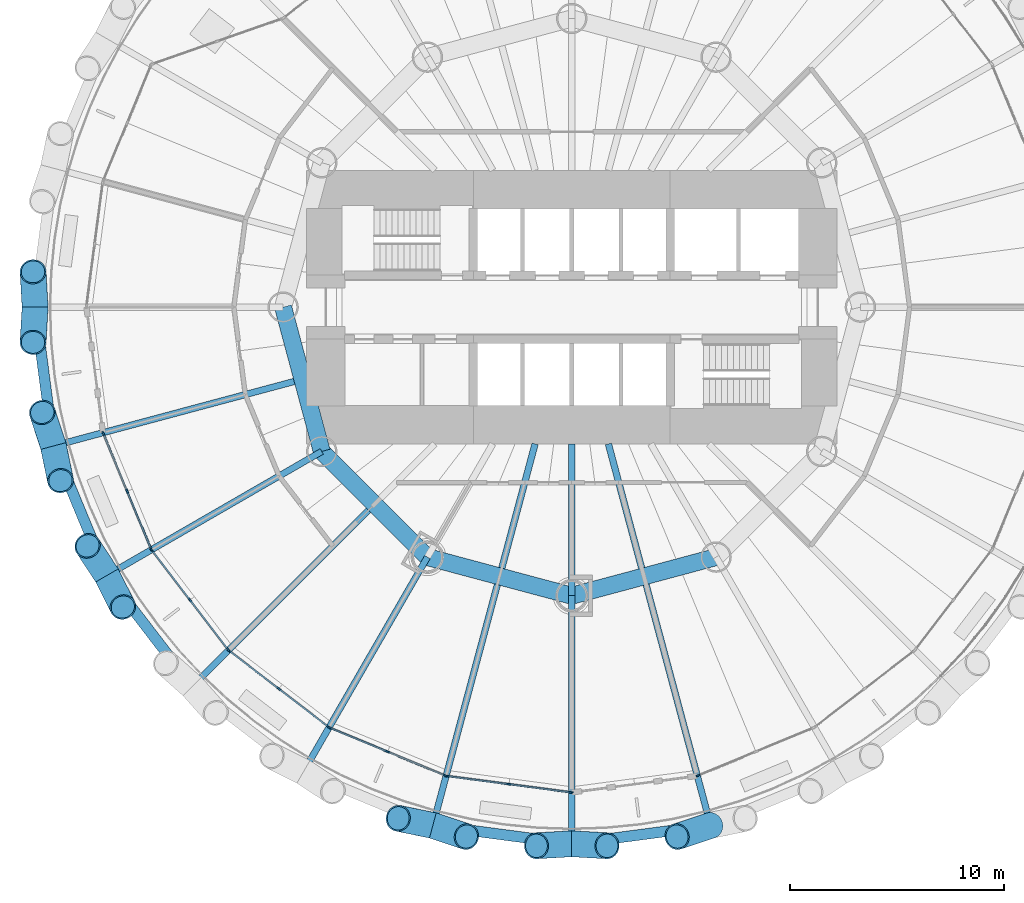
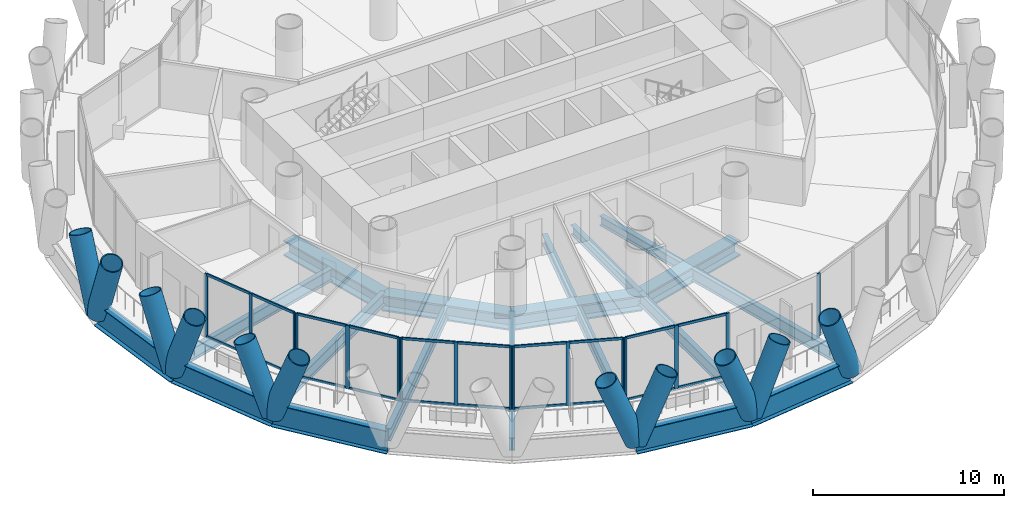
# One storey, part 2 of 14: 47 members, 19 beams, 6 elements without a shape of their own.
"""IFC4 building model written with IfcOpenShell, lengths in metres."""

from ifc_helpers import new_model, si_unit, direction, frame, origin, origin_2d, place, context, subcontext, project, spatial, rectangle, hollow_circle, i_section, extrude, material, material_profile, profile_set, type_object, element, aggregate, save


model = new_model("IFC4")

# Units and contexts
model_context = context("Model", 3, precision=1e-05, world=origin(), true_north=direction((0.0, 1.0)))
body_context = subcontext(model_context, "Body", "Model", "MODEL_VIEW")
ifc_project = project(units=[si_unit("LENGTHUNIT", "METRE"), si_unit("AREAUNIT", "SQUARE_METRE"), si_unit("VOLUMEUNIT", "CUBIC_METRE"), si_unit("PLANEANGLEUNIT", "RADIAN"), si_unit("MASSUNIT", "GRAM", prefix="KILO")], contexts=[model_context])

# Site, building, storey
site_placement = place(None, origin())
site = spatial("IfcSite", under=ifc_project, at=site_placement, CompositionType="ELEMENT")
building_placement = place(site_placement, origin())
building = spatial("IfcBuilding", under=site, at=building_placement, Name="Qaws Media Tower", CompositionType="ELEMENT")
storey_placement = place(building_placement, frame((0.0, 0.0, 59.60009765625)))
storey = spatial("IfcBuildingStorey", under=building, at=storey_placement, Name="L12", CompositionType="ELEMENT", Elevation=59.60009765625)

# Curtain wall, members
ifc_material_1 = material(Name="Aluminium and clear glass", Category="aluminium")
curtain_wall_type = type_object("IfcCurtainWallType", Name="Unitised curtain wall CW-A", PredefinedType="NOTDEFINED", material=ifc_material_1)
curtain_wall_1_placement = place(storey_placement, origin())
curtain_wall_1 = element("IfcCurtainWall", 1, at=curtain_wall_1_placement, inside=storey, type_object=curtain_wall_type, Name="CWA curtain wall L12-14", PredefinedType="NOTDEFINED")
ifc_material_2 = material(Name="Aluminium mullion", Category="aluminium")
ifc_material_profile_1 = material_profile(ifc_material_2, rectangle(XDim=0.080078125, YDim=0.199951171875, at=origin_2d()), Name="80x200")
ifc_profile_set_1 = profile_set([ifc_material_profile_1], Name="Aluminium mullion")
member_type_1 = type_object("IfcMemberType", Name="Curtain wall mullion 80x200", PredefinedType="MULLION", material=ifc_profile_set_1)
member_1_placement = place(storey_placement, frame((38.0888671875, 44.087890625, 0.0), z_axis=(0.0, 0.0, 1.0), x_axis=(0.923879575765, 0.382683327941, 0.0)))
member_1 = element("IfcMember", 2, at=member_1_placement, type_object=member_type_1, Name="CWA mullion 1", PredefinedType="MULLION", context=body_context, shape_type="SweptSolid", body=[
    extrude(rectangle(XDim=0.080078125, YDim=0.199951171875, at=origin_2d()), origin(), (0.0, 0.0, 1.0), 4.039794921875),
])
member_2_placement = place(storey_placement, frame((39.207275390625, 41.387451171875, 0.0), z_axis=(0.0, 0.0, 1.0), x_axis=(0.923879575765, 0.382683327941, 0.0)))
member_2 = element("IfcMember", 3, at=member_2_placement, type_object=member_type_1, Name="CWA mullion 2", PredefinedType="MULLION", context=body_context, shape_type="SweptSolid", body=[
    extrude(rectangle(XDim=0.080078125, YDim=0.199951171875, at=origin_2d()), origin(), (0.0, 0.0, 1.0), 4.039794921875),
])
member_3_placement = place(storey_placement, frame((40.325927734375, 38.68701171875, 0.0), z_axis=(0.0, 0.0, 1.0), x_axis=(0.923879575765, 0.382683327941, 0.0)))
member_3 = element("IfcMember", 4, at=member_3_placement, type_object=member_type_1, Name="CWA mullion 3", PredefinedType="MULLION", context=body_context, shape_type="SweptSolid", body=[
    extrude(rectangle(XDim=0.080078125, YDim=0.199951171875, at=origin_2d()), origin(), (0.0, 0.0, 1.0), 4.039794921875),
])

curtain_wall_2_placement = place(storey_placement, origin())
curtain_wall_2 = element("IfcCurtainWall", 5, at=curtain_wall_2_placement, inside=storey, type_object=curtain_wall_type, Name="CWA curtain wall L12-15", PredefinedType="NOTDEFINED")
member_4_placement = place(storey_placement, frame((40.365478515625, 38.6181640625, 0.0), z_axis=(0.0, 0.0, 1.0), x_axis=(0.793353322718, 0.608761451911, 0.0)))
member_4 = element("IfcMember", 6, at=member_4_placement, type_object=member_type_1, Name="CWA mullion 1", PredefinedType="MULLION", context=body_context, shape_type="SweptSolid", body=[
    extrude(rectangle(XDim=0.080078125, YDim=0.199951171875, at=origin_2d()), origin(), (0.0, 0.0, 1.0), 4.039794921875),
])
member_5_placement = place(storey_placement, frame((42.14501953125, 36.29931640625, 0.0), z_axis=(0.0, 0.0, 1.0), x_axis=(0.793353322718, 0.608761451911, 0.0)))
member_5 = element("IfcMember", 7, at=member_5_placement, type_object=member_type_1, Name="CWA mullion 2", PredefinedType="MULLION", context=body_context, shape_type="SweptSolid", body=[
    extrude(rectangle(XDim=0.080078125, YDim=0.199951171875, at=origin_2d()), origin(), (0.0, 0.0, 1.0), 4.039794921875),
])
member_6_placement = place(storey_placement, frame((43.92431640625, 33.98046875, 0.0), z_axis=(0.0, 0.0, 1.0), x_axis=(0.793353322718, 0.608761451911, 0.0)))
member_6 = element("IfcMember", 8, at=member_6_placement, type_object=member_type_1, Name="CWA mullion 3", PredefinedType="MULLION", context=body_context, shape_type="SweptSolid", body=[
    extrude(rectangle(XDim=0.080078125, YDim=0.199951171875, at=origin_2d()), origin(), (0.0, 0.0, 1.0), 4.039794921875),
])

curtain_wall_3_placement = place(storey_placement, origin())
curtain_wall_3 = element("IfcCurtainWall", 9, at=curtain_wall_3_placement, inside=storey, type_object=curtain_wall_type, Name="CWA curtain wall L12-16", PredefinedType="NOTDEFINED")
member_7_placement = place(storey_placement, frame((43.98046875, 33.92431640625, 0.0), z_axis=(0.0, 0.0, 1.0), x_axis=(0.608761451911, 0.793353322718, 0.0)))
member_7 = element("IfcMember", 10, at=member_7_placement, type_object=member_type_1, Name="CWA mullion 1", PredefinedType="MULLION", context=body_context, shape_type="SweptSolid", body=[
    extrude(rectangle(XDim=0.080078125, YDim=0.199951171875, at=origin_2d()), origin(), (0.0, 0.0, 1.0), 4.039794921875),
])
member_8_placement = place(storey_placement, frame((46.29931640625, 32.14501953125, 0.0), z_axis=(0.0, 0.0, 1.0), x_axis=(0.608761451911, 0.793353322718, 0.0)))
member_8 = element("IfcMember", 11, at=member_8_placement, type_object=member_type_1, Name="CWA mullion 2", PredefinedType="MULLION", context=body_context, shape_type="SweptSolid", body=[
    extrude(rectangle(XDim=0.080078125, YDim=0.199951171875, at=origin_2d()), origin(), (0.0, 0.0, 1.0), 4.039794921875),
])
member_9_placement = place(storey_placement, frame((48.6181640625, 30.365478515625, 0.0), z_axis=(0.0, 0.0, 1.0), x_axis=(0.608761451911, 0.793353322718, 0.0)))
member_9 = element("IfcMember", 12, at=member_9_placement, type_object=member_type_1, Name="CWA mullion 3", PredefinedType="MULLION", context=body_context, shape_type="SweptSolid", body=[
    extrude(rectangle(XDim=0.080078125, YDim=0.199951171875, at=origin_2d()), origin(), (0.0, 0.0, 1.0), 4.039794921875),
])

curtain_wall_4_placement = place(storey_placement, origin())
curtain_wall_4 = element("IfcCurtainWall", 13, at=curtain_wall_4_placement, inside=storey, type_object=curtain_wall_type, Name="CWA curtain wall L12-17", PredefinedType="NOTDEFINED")
member_10_placement = place(storey_placement, frame((48.68701171875, 30.325927734375, 0.0), z_axis=(0.0, 0.0, 1.0), x_axis=(0.382683327941, 0.923879575765, 0.0)))
member_10 = element("IfcMember", 14, at=member_10_placement, type_object=member_type_1, Name="CWA mullion 1", PredefinedType="MULLION", context=body_context, shape_type="SweptSolid", body=[
    extrude(rectangle(XDim=0.080078125, YDim=0.199951171875, at=origin_2d()), origin(), (0.0, 0.0, 1.0), 4.039794921875),
])
member_11_placement = place(storey_placement, frame((51.387451171875, 29.207275390625, 0.0), z_axis=(0.0, 0.0, 1.0), x_axis=(0.382683327941, 0.923879575765, 0.0)))
member_11 = element("IfcMember", 15, at=member_11_placement, type_object=member_type_1, Name="CWA mullion 2", PredefinedType="MULLION", context=body_context, shape_type="SweptSolid", body=[
    extrude(rectangle(XDim=0.080078125, YDim=0.199951171875, at=origin_2d()), origin(), (0.0, 0.0, 1.0), 4.039794921875),
])
member_12_placement = place(storey_placement, frame((54.087890625, 28.0888671875, 0.0), z_axis=(0.0, 0.0, 1.0), x_axis=(0.382683327941, 0.923879575765, 0.0)))
member_12 = element("IfcMember", 16, at=member_12_placement, type_object=member_type_1, Name="CWA mullion 3", PredefinedType="MULLION", context=body_context, shape_type="SweptSolid", body=[
    extrude(rectangle(XDim=0.080078125, YDim=0.199951171875, at=origin_2d()), origin(), (0.0, 0.0, 1.0), 4.039794921875),
])

curtain_wall_5_placement = place(storey_placement, origin())
curtain_wall_5 = element("IfcCurtainWall", 17, at=curtain_wall_5_placement, inside=storey, type_object=curtain_wall_type, Name="CWA curtain wall L12-18", PredefinedType="NOTDEFINED")
member_13_placement = place(storey_placement, frame((54.16455078125, 28.068359375, 0.0), z_axis=(0.0, 0.0, 1.0), x_axis=(0.130526241882, 0.991444854836, 0.0)))
member_13 = element("IfcMember", 18, at=member_13_placement, type_object=member_type_1, Name="CWA mullion 1", PredefinedType="MULLION", context=body_context, shape_type="SweptSolid", body=[
    extrude(rectangle(XDim=0.080078125, YDim=0.199951171875, at=origin_2d()), origin(), (0.0, 0.0, 1.0), 4.039794921875),
])
member_14_placement = place(storey_placement, frame((57.0625, 27.686767578125, 0.0), z_axis=(0.0, 0.0, 1.0), x_axis=(0.130526241882, 0.991444854836, 0.0)))
member_14 = element("IfcMember", 19, at=member_14_placement, type_object=member_type_1, Name="CWA mullion 2", PredefinedType="MULLION", context=body_context, shape_type="SweptSolid", body=[
    extrude(rectangle(XDim=0.080078125, YDim=0.199951171875, at=origin_2d()), origin(), (0.0, 0.0, 1.0), 4.039794921875),
])
member_15_placement = place(storey_placement, frame((59.96044921875, 27.30517578125, 0.0), z_axis=(0.0, 0.0, 1.0), x_axis=(0.130526241882, 0.991444854836, 0.0)))
member_15 = element("IfcMember", 20, at=member_15_placement, type_object=member_type_1, Name="CWA mullion 3", PredefinedType="MULLION", context=body_context, shape_type="SweptSolid", body=[
    extrude(rectangle(XDim=0.080078125, YDim=0.199951171875, at=origin_2d()), origin(), (0.0, 0.0, 1.0), 4.039794921875),
])

# Curtain wall, member
curtain_wall_6_placement = place(storey_placement, origin())
curtain_wall_6 = element("IfcCurtainWall", 21, at=curtain_wall_6_placement, inside=storey, type_object=curtain_wall_type, Name="CWA curtain wall L12-20", PredefinedType="NOTDEFINED")
member_16_placement = place(storey_placement, frame((65.912109375, 28.0888671875, 0.0), z_axis=(0.0, 0.0, 1.0), x_axis=(-0.382683327941, 0.923879575765, 0.0)))
member_16 = element("IfcMember", 22, at=member_16_placement, type_object=member_type_1, Name="CWA mullion 1", PredefinedType="MULLION", context=body_context, shape_type="SweptSolid", body=[
    extrude(rectangle(XDim=0.080078125, YDim=0.199951171875, at=origin_2d()), origin(), (0.0, 0.0, 1.0), 4.039794921875),
])
aggregate(curtain_wall_6, [member_16])

# Member
ifc_material_3 = material(Name="Aluminium transom", Category="aluminium")
ifc_material_profile_2 = material_profile(ifc_material_3, rectangle(XDim=0.080078125, YDim=0.159912109375, at=origin_2d()), Name="80x160")
ifc_profile_set_2 = profile_set([ifc_material_profile_2], Name="Aluminium transom")
member_type_2 = type_object("IfcMemberType", Name="Curtain wall transom 80x160", PredefinedType="USERDEFINED", material=ifc_profile_set_2)
member_17_placement = place(storey_placement, frame((38.10400390625, 44.05078125, 0.039794921875), z_axis=(0.382748704437, -0.923852493232, 0.0), x_axis=(0.923852493232, 0.382748704437, 0.0)))
member_17 = element("IfcMember", 23, at=member_17_placement, type_object=member_type_2, Name="CWA transom 1.1", ObjectType="TRANSOM", PredefinedType="USERDEFINED", context=body_context, shape_type="SweptSolid", body=[
    extrude(rectangle(XDim=0.080078125, YDim=0.159912109375, at=origin_2d()), origin(), (0.0, 0.0, 1.0), 2.843017578125),
])

member_18_placement = place(storey_placement, frame((38.10400390625, 44.05078125, 4.0), z_axis=(0.382748704437, -0.923852493232, 0.0), x_axis=(0.923852493232, 0.382748704437, 0.0)))
member_18 = element("IfcMember", 24, at=member_18_placement, type_object=member_type_2, Name="CWA transom 1.2", ObjectType="TRANSOM", PredefinedType="USERDEFINED", context=body_context, shape_type="SweptSolid", body=[
    extrude(rectangle(XDim=0.080078125, YDim=0.159912109375, at=origin_2d()), origin(), (0.0, 0.0, 1.0), 2.843017578125),
])

member_19_placement = place(storey_placement, frame((39.22265625, 41.350341796875, 0.039794921875), z_axis=(0.382675405483, -0.923882857314, 0.0), x_axis=(0.923882857314, 0.382675405483, 0.0)))
member_19 = element("IfcMember", 25, at=member_19_placement, type_object=member_type_2, Name="CWA transom 2.1", ObjectType="TRANSOM", PredefinedType="USERDEFINED", context=body_context, shape_type="SweptSolid", body=[
    extrude(rectangle(XDim=0.080078125, YDim=0.159912109375, at=origin_2d()), origin(), (0.0, 0.0, 1.0), 2.8427734375),
])

member_20_placement = place(storey_placement, frame((39.22265625, 41.350341796875, 4.0), z_axis=(0.382675405483, -0.923882857314, 0.0), x_axis=(0.923882857314, 0.382675405483, 0.0)))
member_20 = element("IfcMember", 26, at=member_20_placement, type_object=member_type_2, Name="CWA transom 2.2", ObjectType="TRANSOM", PredefinedType="USERDEFINED", context=body_context, shape_type="SweptSolid", body=[
    extrude(rectangle(XDim=0.080078125, YDim=0.159912109375, at=origin_2d()), origin(), (0.0, 0.0, 1.0), 2.8427734375),
])

aggregate(curtain_wall_1, [member_1, member_2, member_3, member_17, member_18, member_19, member_20])

member_21_placement = place(storey_placement, frame((40.389892578125, 38.58642578125, 0.039794921875), z_axis=(0.608784848689, -0.79333536919, 0.0), x_axis=(0.79333536919, 0.608784848689, 0.0)))
member_21 = element("IfcMember", 27, at=member_21_placement, type_object=member_type_2, Name="CWA transom 1.1", ObjectType="TRANSOM", PredefinedType="USERDEFINED", context=body_context, shape_type="SweptSolid", body=[
    extrude(rectangle(XDim=0.080078125, YDim=0.159912109375, at=origin_2d()), origin(), (0.0, 0.0, 1.0), 2.843017578125),
])

member_22_placement = place(storey_placement, frame((40.389892578125, 38.58642578125, 4.0), z_axis=(0.608784848689, -0.79333536919, 0.0), x_axis=(0.79333536919, 0.608784848689, 0.0)))
member_22 = element("IfcMember", 28, at=member_22_placement, type_object=member_type_2, Name="CWA transom 1.2", ObjectType="TRANSOM", PredefinedType="USERDEFINED", context=body_context, shape_type="SweptSolid", body=[
    extrude(rectangle(XDim=0.080078125, YDim=0.159912109375, at=origin_2d()), origin(), (0.0, 0.0, 1.0), 2.843017578125),
])

member_23_placement = place(storey_placement, frame((42.169189453125, 36.267578125, 0.039794921875), z_axis=(0.608784848689, -0.79333536919, 0.0), x_axis=(0.79333536919, 0.608784848689, 0.0)))
member_23 = element("IfcMember", 29, at=member_23_placement, type_object=member_type_2, Name="CWA transom 2.1", ObjectType="TRANSOM", PredefinedType="USERDEFINED", context=body_context, shape_type="SweptSolid", body=[
    extrude(rectangle(XDim=0.080078125, YDim=0.159912109375, at=origin_2d()), origin(), (0.0, 0.0, 1.0), 2.843017578125),
])

member_24_placement = place(storey_placement, frame((42.169189453125, 36.267578125, 4.0), z_axis=(0.608784848689, -0.79333536919, 0.0), x_axis=(0.79333536919, 0.608784848689, 0.0)))
member_24 = element("IfcMember", 30, at=member_24_placement, type_object=member_type_2, Name="CWA transom 2.2", ObjectType="TRANSOM", PredefinedType="USERDEFINED", context=body_context, shape_type="SweptSolid", body=[
    extrude(rectangle(XDim=0.080078125, YDim=0.159912109375, at=origin_2d()), origin(), (0.0, 0.0, 1.0), 2.843017578125),
])

aggregate(curtain_wall_2, [member_4, member_5, member_6, member_21, member_22, member_23, member_24])

member_25_placement = place(storey_placement, frame((44.01220703125, 33.89990234375, 0.039794921875), z_axis=(0.79333536919, -0.608784848689, 0.0), x_axis=(0.608784848689, 0.79333536919, 0.0)))
member_25 = element("IfcMember", 31, at=member_25_placement, type_object=member_type_2, Name="CWA transom 1.1", ObjectType="TRANSOM", PredefinedType="USERDEFINED", context=body_context, shape_type="SweptSolid", body=[
    extrude(rectangle(XDim=0.080078125, YDim=0.159912109375, at=origin_2d()), origin(), (0.0, 0.0, 1.0), 2.843017578125),
])

member_26_placement = place(storey_placement, frame((44.01220703125, 33.89990234375, 4.0), z_axis=(0.79333536919, -0.608784848689, 0.0), x_axis=(0.608784848689, 0.79333536919, 0.0)))
member_26 = element("IfcMember", 32, at=member_26_placement, type_object=member_type_2, Name="CWA transom 1.2", ObjectType="TRANSOM", PredefinedType="USERDEFINED", context=body_context, shape_type="SweptSolid", body=[
    extrude(rectangle(XDim=0.080078125, YDim=0.159912109375, at=origin_2d()), origin(), (0.0, 0.0, 1.0), 2.843017578125),
])

member_27_placement = place(storey_placement, frame((46.3310546875, 32.12060546875, 0.039794921875), z_axis=(0.79333536919, -0.608784848689, 0.0), x_axis=(0.608784848689, 0.79333536919, 0.0)))
member_27 = element("IfcMember", 33, at=member_27_placement, type_object=member_type_2, Name="CWA transom 2.1", ObjectType="TRANSOM", PredefinedType="USERDEFINED", context=body_context, shape_type="SweptSolid", body=[
    extrude(rectangle(XDim=0.080078125, YDim=0.159912109375, at=origin_2d()), origin(), (0.0, 0.0, 1.0), 2.843017578125),
])

member_28_placement = place(storey_placement, frame((46.3310546875, 32.12060546875, 4.0), z_axis=(0.79333536919, -0.608784848689, 0.0), x_axis=(0.608784848689, 0.79333536919, 0.0)))
member_28 = element("IfcMember", 34, at=member_28_placement, type_object=member_type_2, Name="CWA transom 2.2", ObjectType="TRANSOM", PredefinedType="USERDEFINED", context=body_context, shape_type="SweptSolid", body=[
    extrude(rectangle(XDim=0.080078125, YDim=0.159912109375, at=origin_2d()), origin(), (0.0, 0.0, 1.0), 2.843017578125),
])

aggregate(curtain_wall_3, [member_7, member_8, member_9, member_25, member_26, member_27, member_28])

member_29_placement = place(storey_placement, frame((48.723876953125, 30.310546875, 0.039794921875), z_axis=(0.923882857314, -0.382675405483, 0.0), x_axis=(0.382675405483, 0.923882857314, 0.0)))
member_29 = element("IfcMember", 35, at=member_29_placement, type_object=member_type_2, Name="CWA transom 1.1", ObjectType="TRANSOM", PredefinedType="USERDEFINED", context=body_context, shape_type="SweptSolid", body=[
    extrude(rectangle(XDim=0.080078125, YDim=0.159912109375, at=origin_2d()), origin(), (0.0, 0.0, 1.0), 2.8427734375),
])

member_30_placement = place(storey_placement, frame((48.723876953125, 30.310546875, 4.0), z_axis=(0.923882857314, -0.382675405483, 0.0), x_axis=(0.382675405483, 0.923882857314, 0.0)))
member_30 = element("IfcMember", 36, at=member_30_placement, type_object=member_type_2, Name="CWA transom 1.2", ObjectType="TRANSOM", PredefinedType="USERDEFINED", context=body_context, shape_type="SweptSolid", body=[
    extrude(rectangle(XDim=0.080078125, YDim=0.159912109375, at=origin_2d()), origin(), (0.0, 0.0, 1.0), 2.8427734375),
])

member_31_placement = place(storey_placement, frame((51.42431640625, 29.192138671875, 0.039794921875), z_axis=(0.923852493232, -0.382748704437, 0.0), x_axis=(0.382748704437, 0.923852493232, 0.0)))
member_31 = element("IfcMember", 37, at=member_31_placement, type_object=member_type_2, Name="CWA transom 2.1", ObjectType="TRANSOM", PredefinedType="USERDEFINED", context=body_context, shape_type="SweptSolid", body=[
    extrude(rectangle(XDim=0.080078125, YDim=0.159912109375, at=origin_2d()), origin(), (0.0, 0.0, 1.0), 2.843017578125),
])

member_32_placement = place(storey_placement, frame((51.42431640625, 29.192138671875, 4.0), z_axis=(0.923852493232, -0.382748704437, 0.0), x_axis=(0.382748704437, 0.923852493232, 0.0)))
member_32 = element("IfcMember", 38, at=member_32_placement, type_object=member_type_2, Name="CWA transom 2.2", ObjectType="TRANSOM", PredefinedType="USERDEFINED", context=body_context, shape_type="SweptSolid", body=[
    extrude(rectangle(XDim=0.080078125, YDim=0.159912109375, at=origin_2d()), origin(), (0.0, 0.0, 1.0), 2.843017578125),
])

aggregate(curtain_wall_4, [member_10, member_11, member_12, member_29, member_30, member_31, member_32])

member_33_placement = place(storey_placement, frame((54.2041015625, 28.06298828125, 0.039794921875), z_axis=(0.991444062143, -0.130532262837, 0.0), x_axis=(0.130532262837, 0.991444062143, 0.0)))
member_33 = element("IfcMember", 39, at=member_33_placement, type_object=member_type_2, Name="CWA transom 1.1", ObjectType="TRANSOM", PredefinedType="USERDEFINED", context=body_context, shape_type="SweptSolid", body=[
    extrude(rectangle(XDim=0.080078125, YDim=0.159912109375, at=origin_2d()), origin(), (0.0, 0.0, 1.0), 2.843017578125),
])

member_34_placement = place(storey_placement, frame((54.2041015625, 28.06298828125, 4.0), z_axis=(0.991444062143, -0.130532262837, 0.0), x_axis=(0.130532262837, 0.991444062143, 0.0)))
member_34 = element("IfcMember", 40, at=member_34_placement, type_object=member_type_2, Name="CWA transom 1.2", ObjectType="TRANSOM", PredefinedType="USERDEFINED", context=body_context, shape_type="SweptSolid", body=[
    extrude(rectangle(XDim=0.080078125, YDim=0.159912109375, at=origin_2d()), origin(), (0.0, 0.0, 1.0), 2.843017578125),
])

member_35_placement = place(storey_placement, frame((57.10205078125, 27.681640625, 0.039794921875), z_axis=(0.991444062143, -0.130532262837, 0.0), x_axis=(0.130532262837, 0.991444062143, 0.0)))
member_35 = element("IfcMember", 41, at=member_35_placement, type_object=member_type_2, Name="CWA transom 2.1", ObjectType="TRANSOM", PredefinedType="USERDEFINED", context=body_context, shape_type="SweptSolid", body=[
    extrude(rectangle(XDim=0.080078125, YDim=0.159912109375, at=origin_2d()), origin(), (0.0, 0.0, 1.0), 2.843017578125),
])

member_36_placement = place(storey_placement, frame((57.10205078125, 27.681640625, 4.0), z_axis=(0.991444062143, -0.130532262837, 0.0), x_axis=(0.130532262837, 0.991444062143, 0.0)))
member_36 = element("IfcMember", 42, at=member_36_placement, type_object=member_type_2, Name="CWA transom 2.2", ObjectType="TRANSOM", PredefinedType="USERDEFINED", context=body_context, shape_type="SweptSolid", body=[
    extrude(rectangle(XDim=0.080078125, YDim=0.159912109375, at=origin_2d()), origin(), (0.0, 0.0, 1.0), 2.843017578125),
])

aggregate(curtain_wall_5, [member_13, member_14, member_15, member_33, member_34, member_35, member_36])

# Members
ifc_material_4 = material(Name="Steel S460", Category="steel")
ifc_material_profile_3 = material_profile(ifc_material_4, hollow_circle(Radius=0.609619140625, WallThickness=0.06005859375, at=origin_2d()), Name="CHS 1219x60")
ifc_profile_set_3 = profile_set([ifc_material_profile_3], Name="Steel S460")
member_type_3 = type_object("IfcMemberType", Name="Diagrid member CHS 1219x60", PredefinedType="USERDEFINED", material=ifc_profile_set_3)
for number, where, z_axis, x_axis, name in (
    (43, (34.89990234375, 50.0, -0.91015625), (-0.021255688094, -0.365835812381, 0.930436647012), (0.998316356906, -0.05800389241, 0.0), "DG1 diagrid L12 A13"),
    (44, (34.89990234375, 50.0, -0.91015625), (-0.021255688094, 0.365835812381, 0.930436647012), (-0.998316356906, -0.05800389241, 0.0), "DG1 diagrid L12 B13"),
    (45, (35.75537109375, 43.503662109375, -0.91015625), (0.074150438913, -0.358907594916, 0.930423049328), (0.979317929805, 0.202327438481, 0.0), "DG1 diagrid L12 A14"),
    (46, (35.75537109375, 43.503662109375, -0.91015625), (-0.115255719276, 0.347876483521, 0.930428971705), (-0.949257302404, -0.314500514836, 0.0), "DG1 diagrid L12 B14"),
    (47, (38.2626953125, 37.449951171875, -0.91015625), (0.164529113821, -0.327435652555, 0.930438640718), (0.893539867658, 0.448983858179, 0.0), "DG1 diagrid L12 A15"),
    (48, (38.2626953125, 37.449951171875, -0.91015625), (-0.201305466164, 0.306230937512, 0.930429321444), (-0.835620318597, -0.549307457757, 0.0), "DG1 diagrid L12 B15"),
    (49, (53.503662109375, 25.75537109375, -0.91015625), (0.347876483521, -0.115255719276, 0.930428971705), (0.314500514836, 0.949257302404, 0.0), "DG1 diagrid L12 A18"),
    (50, (53.503662109375, 25.75537109375, -0.91015625), (-0.358907594916, 0.074150438913, 0.930423049328), (-0.202327438481, -0.979317929805, 0.0), "DG1 diagrid L12 B18"),
    (51, (60.0, 24.89990234375, -0.91015625), (0.365835812381, -0.021255688094, 0.930436647012), (0.05800389241, 0.998316356906, 0.0), "DG1 diagrid L12 A19"),
    (52, (60.0, 24.89990234375, -0.91015625), (-0.365835812381, -0.021255688094, 0.930436647012), (0.05800389241, -0.998316356906, 0.0), "DG1 diagrid L12 B19"),
    (53, (66.496337890625, 25.75537109375, -0.91015625), (-0.347876483521, -0.115255719276, 0.930428971705), (0.314500514836, -0.949257302404, 0.0), "DG1 diagrid L12 B20"),
):
    element("IfcMember", number, at=place(storey_placement, frame(where, z_axis=z_axis, x_axis=x_axis)), inside=storey, type_object=member_type_3, Name=name, ObjectType="DIAGRID", PredefinedType="USERDEFINED", context=body_context, shape_type="SweptSolid", body=[
        extrude(hollow_circle(Radius=0.609619140625, WallThickness=0.06005859375, at=origin_2d()), origin(), (0.0, 0.0, 1.0), 4.513916015625),
    ])

# Beams
ifc_material_5 = material(Name="Steel S460", Category="steel")
ifc_material_profile_4 = material_profile(ifc_material_5, i_section(OverallWidth=0.5, OverallDepth=1.5, WebThickness=0.02001953125, FlangeThickness=0.0400390625, at=origin_2d()), Name="PG 1500x500")
ifc_profile_set_4 = profile_set([ifc_material_profile_4], Name="Steel S460")
beam_type_1 = type_object("IfcBeamType", Name="Edge ring beam PG 1500x500", PredefinedType="BEAM", material=ifc_profile_set_4)
for number, where, z_axis, x_axis, name in (
    (54, (34.89990234375, 50.0, -0.91015625), (0.130557641571, -0.991440720481, 0.0), (0.991440720481, 0.130557641571, 0.0), "RB4 edge ring beam L12-13"),
    (55, (35.75537109375, 43.503662109375, -0.91015625), (0.382656733729, -0.923890590997, 0.0), (0.923890590997, 0.382656733729, 0.0), "RB4 edge ring beam L12-14"),
    (56, (38.2626953125, 37.449951171875, -0.91015625), (0.608786610398, -0.793334017296, 0.0), (0.793334017296, 0.608786610398, 0.0), "RB4 edge ring beam L12-15"),
    (57, (53.503662109375, 25.75537109375, -0.91015625), (0.991440720481, -0.130557641571, 0.0), (0.130557641571, 0.991440720481, 0.0), "RB4 edge ring beam L12-18"),
    (58, (60.0, 24.89990234375, -0.91015625), (0.991440720481, 0.130557641571, 0.0), (-0.130557641571, 0.991440720481, 0.0), "RB4 edge ring beam L12-19"),
):
    element("IfcBeam", number, at=place(storey_placement, frame(where, z_axis=z_axis, x_axis=x_axis)), inside=storey, type_object=beam_type_1, Name=name, PredefinedType="BEAM", context=body_context, shape_type="SweptSolid", body=[
        extrude(i_section(OverallWidth=0.5, OverallDepth=1.5, WebThickness=0.02001953125, FlangeThickness=0.0400390625, at=origin_2d()), origin(), (0.0, 0.0, 1.0), 6.552490234375),
    ])
ifc_material_6 = material(Name="Steel S460", Category="steel")
ifc_material_profile_5 = material_profile(ifc_material_6, i_section(OverallWidth=0.800048828125, OverallDepth=1.0, WebThickness=0.0400390625, FlangeThickness=0.10009765625, at=origin_2d()), Name="PG 1000x800")
ifc_profile_set_5 = profile_set([ifc_material_profile_5], Name="Steel S460")
beam_type_2 = type_object("IfcBeamType", Name="Inner ring girder PG 1000x800", PredefinedType="BEAM", material=ifc_profile_set_5)
beam_1_placement = place(storey_placement, frame((46.5, 50.0, -0.66015625), z_axis=(0.258810593767, -0.965928090778, 0.0), x_axis=(0.965928090778, 0.258810593767, 0.0)))
element("IfcBeam", 59, at=beam_1_placement, inside=storey, type_object=beam_type_2, Name="B3 inner ring beam L12 I07-I08", PredefinedType="BEAM", context=body_context, shape_type="SweptSolid", body=[
    extrude(i_section(OverallWidth=0.800048828125, OverallDepth=1.0, WebThickness=0.0400390625, FlangeThickness=0.10009765625, at=origin_2d()), origin(), (0.0, 0.0, 1.0), 6.988037109375),
])
beam_2_placement = place(storey_placement, frame((48.30859375, 43.25, -0.66015625), z_axis=(0.707106781187, -0.707106781187, 0.0), x_axis=(0.707106781187, 0.707106781187, 0.0)))
element("IfcBeam", 60, at=beam_2_placement, inside=storey, type_object=beam_type_2, Name="B3 inner ring beam L12 I08-I09", PredefinedType="BEAM", context=body_context, shape_type="SweptSolid", body=[
    extrude(i_section(OverallWidth=0.800048828125, OverallDepth=1.0, WebThickness=0.0400390625, FlangeThickness=0.10009765625, at=origin_2d()), origin(), (0.0, 0.0, 1.0), 6.98828125),
])
for number, where, z_axis, x_axis, name in (
    (61, (53.25, 38.30859375, -0.66015625), (0.965928090778, -0.258810593767, 0.0), (0.258810593767, 0.965928090778, 0.0), "B3 inner ring beam L12 I09-I10"),
    (62, (60.0, 36.5, -0.66015625), (0.965928090778, 0.258810593767, 0.0), (-0.258810593767, 0.965928090778, 0.0), "B3 inner ring beam L12 I10-I11"),
):
    element("IfcBeam", number, at=place(storey_placement, frame(where, z_axis=z_axis, x_axis=x_axis)), inside=storey, type_object=beam_type_2, Name=name, PredefinedType="BEAM", context=body_context, shape_type="SweptSolid", body=[
        extrude(i_section(OverallWidth=0.800048828125, OverallDepth=1.0, WebThickness=0.0400390625, FlangeThickness=0.10009765625, at=origin_2d()), origin(), (0.0, 0.0, 1.0), 6.988037109375),
    ])
ifc_material_7 = material(Name="Steel S355", Category="steel")
ifc_material_profile_6 = material_profile(ifc_material_7, i_section(OverallWidth=0.304931640625, OverallDepth=0.6201171875, WebThickness=0.02099609375, FlangeThickness=0.0400390625, FilletRadius=0.027099609375, at=origin_2d()), Name="HE 600 M")
ifc_profile_set_6 = profile_set([ifc_material_profile_6], Name="Steel S355")
beam_type_3 = type_object("IfcBeamType", Name="Radial beam HE 600 M, core side", PredefinedType="BEAM", material=ifc_profile_set_6)
beam_3_placement = place(storey_placement, frame((58.28515625, 43.60009765625, -0.47021484375), z_axis=(-0.258824687089, -0.965924314506, 0.0), x_axis=(0.965924314506, -0.258824687089, 0.0)))
element("IfcBeam", 63, at=beam_3_placement, inside=storey, type_object=beam_type_3, Name="B2 radial beam L12 18", PredefinedType="BEAM", context=body_context, shape_type="SweptSolid", body=[
    extrude(i_section(OverallWidth=0.304931640625, OverallDepth=0.6201171875, WebThickness=0.02099609375, FlangeThickness=0.0400390625, FilletRadius=0.027099609375, at=origin_2d()), origin(), (0.0, 0.0, 1.0), 6.01416015625),
])
beam_4_placement = place(storey_placement, frame((60.0, 43.60009765625, -0.47021484375), z_axis=(0.0, -1.0, 0.0), x_axis=(1.0, 0.0, 0.0)))
element("IfcBeam", 64, at=beam_4_placement, inside=storey, type_object=beam_type_3, Name="B2 radial beam L12 19", PredefinedType="BEAM", context=body_context, shape_type="SweptSolid", body=[
    extrude(i_section(OverallWidth=0.304931640625, OverallDepth=0.6201171875, WebThickness=0.02099609375, FlangeThickness=0.0400390625, FilletRadius=0.027099609375, at=origin_2d()), origin(), (0.0, 0.0, 1.0), 7.10009765625),
])
beam_5_placement = place(storey_placement, frame((61.71484375, 43.60009765625, -0.47021484375), z_axis=(0.258824687089, -0.965924314506, 0.0), x_axis=(0.965924314506, 0.258824687089, 0.0)))
element("IfcBeam", 65, at=beam_5_placement, inside=storey, type_object=beam_type_3, Name="B2 radial beam L12 20", PredefinedType="BEAM", context=body_context, shape_type="SweptSolid", body=[
    extrude(i_section(OverallWidth=0.304931640625, OverallDepth=0.6201171875, WebThickness=0.02099609375, FlangeThickness=0.0400390625, FilletRadius=0.027099609375, at=origin_2d()), origin(), (0.0, 0.0, 1.0), 6.01416015625),
])
ifc_material_8 = material(Name="Steel S355", Category="steel")
ifc_material_profile_7 = material_profile(ifc_material_8, i_section(OverallWidth=0.300048828125, OverallDepth=0.800048828125, WebThickness=0.017578125, FlangeThickness=0.032958984375, FilletRadius=0.030029296875, at=origin_2d()), Name="HE 800 B")
ifc_profile_set_7 = profile_set([ifc_material_profile_7], Name="Steel S355")
beam_type_4 = type_object("IfcBeamType", Name="Radial beam HE 800 B", PredefinedType="BEAM", material=ifc_profile_set_7)
beam_6_placement = place(storey_placement, frame((47.01806640625, 46.521484375, -0.56005859375), z_axis=(-0.965925994556, -0.258818417123, 0.0), x_axis=(0.258818417123, -0.965925994556, 0.0)))
element("IfcBeam", 66, at=beam_6_placement, inside=storey, type_object=beam_type_4, Name="B1 radial beam L12 14", PredefinedType="BEAM", context=body_context, shape_type="SweptSolid", body=[
    extrude(i_section(OverallWidth=0.300048828125, OverallDepth=0.800048828125, WebThickness=0.017578125, FlangeThickness=0.032958984375, FilletRadius=0.030029296875, at=origin_2d()), origin(), (0.0, 0.0, 1.0), 11.659912109375),
])
beam_7_placement = place(storey_placement, frame((48.30859375, 43.25, -0.56005859375), z_axis=(-0.86602366199, -0.500003016864, 0.0), x_axis=(0.500003016864, -0.86602366199, 0.0)))
element("IfcBeam", 67, at=beam_7_placement, inside=storey, type_object=beam_type_4, Name="B1 radial beam L12 15", PredefinedType="BEAM", context=body_context, shape_type="SweptSolid", body=[
    extrude(i_section(OverallWidth=0.300048828125, OverallDepth=0.800048828125, WebThickness=0.017578125, FlangeThickness=0.032958984375, FilletRadius=0.030029296875, at=origin_2d()), origin(), (0.0, 0.0, 1.0), 11.60009765625),
])
beam_8_placement = place(storey_placement, frame((50.49658203125, 40.49658203125, -0.56005859375), z_axis=(-0.707106781187, -0.707106781187, 0.0), x_axis=(0.707106781187, -0.707106781187, 0.0)))
element("IfcBeam", 68, at=beam_8_placement, inside=storey, type_object=beam_type_4, Name="B1 radial beam L12 16", PredefinedType="BEAM", context=body_context, shape_type="SweptSolid", body=[
    extrude(i_section(OverallWidth=0.300048828125, OverallDepth=0.800048828125, WebThickness=0.017578125, FlangeThickness=0.032958984375, FilletRadius=0.030029296875, at=origin_2d()), origin(), (0.0, 0.0, 1.0), 11.659912109375),
])
beam_9_placement = place(storey_placement, frame((53.25, 38.30859375, -0.56005859375), z_axis=(-0.500003016864, -0.86602366199, 0.0), x_axis=(0.86602366199, -0.500003016864, 0.0)))
element("IfcBeam", 69, at=beam_9_placement, inside=storey, type_object=beam_type_4, Name="B1 radial beam L12 17", PredefinedType="BEAM", context=body_context, shape_type="SweptSolid", body=[
    extrude(i_section(OverallWidth=0.300048828125, OverallDepth=0.800048828125, WebThickness=0.017578125, FlangeThickness=0.032958984375, FilletRadius=0.030029296875, at=origin_2d()), origin(), (0.0, 0.0, 1.0), 11.60009765625),
])
beam_10_placement = place(storey_placement, frame((56.521484375, 37.01806640625, -0.56005859375), z_axis=(-0.258818417123, -0.965925994556, 0.0), x_axis=(0.965925994556, -0.258818417123, 0.0)))
element("IfcBeam", 70, at=beam_10_placement, inside=storey, type_object=beam_type_4, Name="B1 radial beam L12 18", PredefinedType="BEAM", context=body_context, shape_type="SweptSolid", body=[
    extrude(i_section(OverallWidth=0.300048828125, OverallDepth=0.800048828125, WebThickness=0.017578125, FlangeThickness=0.032958984375, FilletRadius=0.030029296875, at=origin_2d()), origin(), (0.0, 0.0, 1.0), 11.659912109375),
])
beam_11_placement = place(storey_placement, frame((60.0, 36.5, -0.56005859375), z_axis=(0.0, -1.0, 0.0), x_axis=(1.0, 0.0, 0.0)))
element("IfcBeam", 71, at=beam_11_placement, inside=storey, type_object=beam_type_4, Name="B1 radial beam L12 19", PredefinedType="BEAM", context=body_context, shape_type="SweptSolid", body=[
    extrude(i_section(OverallWidth=0.300048828125, OverallDepth=0.800048828125, WebThickness=0.017578125, FlangeThickness=0.032958984375, FilletRadius=0.030029296875, at=origin_2d()), origin(), (0.0, 0.0, 1.0), 11.60009765625),
])
beam_12_placement = place(storey_placement, frame((63.478515625, 37.01806640625, -0.56005859375), z_axis=(0.258818417123, -0.965925994556, 0.0), x_axis=(0.965925994556, 0.258818417123, 0.0)))
element("IfcBeam", 72, at=beam_12_placement, inside=storey, type_object=beam_type_4, Name="B1 radial beam L12 20", PredefinedType="BEAM", context=body_context, shape_type="SweptSolid", body=[
    extrude(i_section(OverallWidth=0.300048828125, OverallDepth=0.800048828125, WebThickness=0.017578125, FlangeThickness=0.032958984375, FilletRadius=0.030029296875, at=origin_2d()), origin(), (0.0, 0.0, 1.0), 11.659912109375),
])

save(model, "model.ifc")
